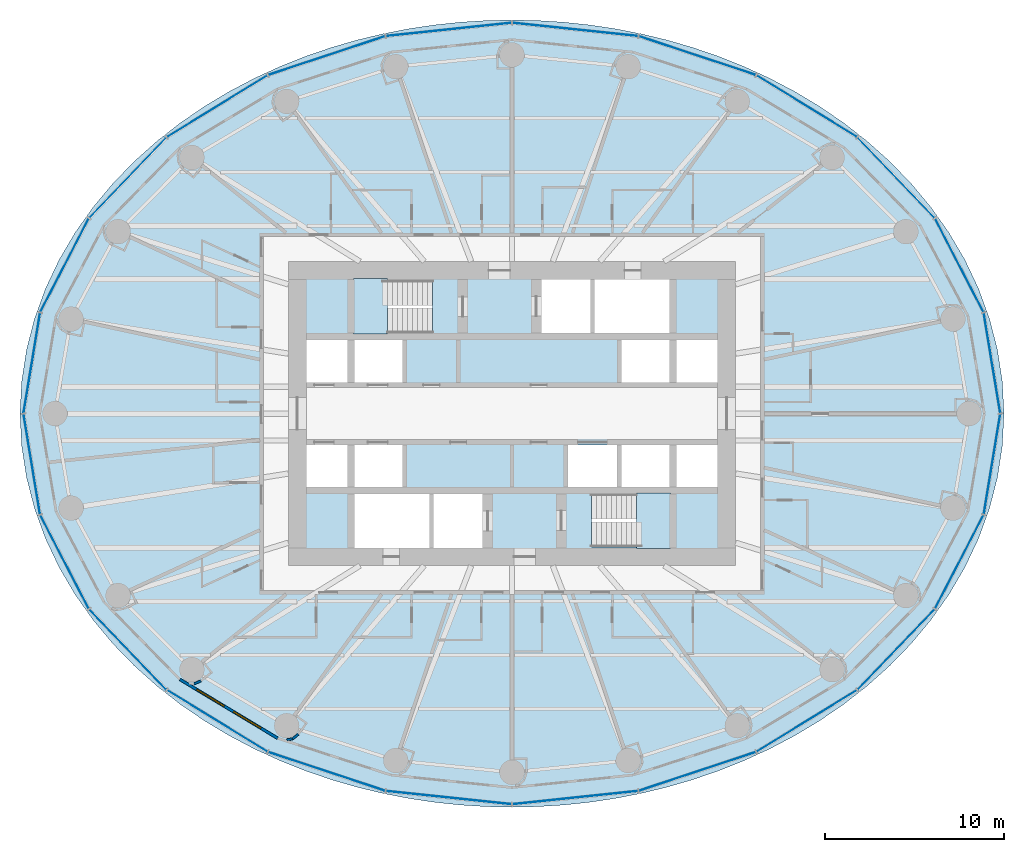
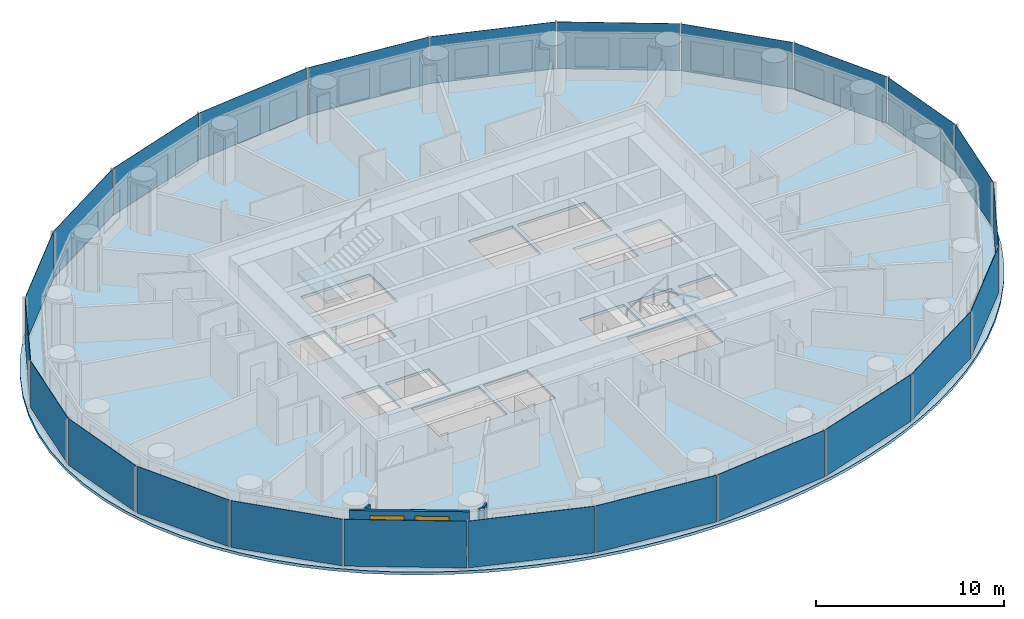
# One storey, part 5 of 14: 24 plates, 4 walls, 3 slabs, 2 windows, 2 openings, 6 elements without a shape of their own.
"""IFC4 building model written with IfcOpenShell, lengths in metres."""

from ifc_helpers import new_model, si_unit, direction, frame, frame_2d, origin, origin_2d, place, context, subcontext, project, spatial, polyline, rectangle, outline, extrude, material, layer, layer_set, type_object, element, fill, aggregate, save


model = new_model("IFC4")

# Units and contexts
model_context = context("Model", 3, precision=1e-05, world=origin(), true_north=direction((0.0, 1.0)))
body_context = subcontext(model_context, "Body", "Model", "MODEL_VIEW")
ifc_project = project(units=[si_unit("LENGTHUNIT", "METRE"), si_unit("AREAUNIT", "SQUARE_METRE"), si_unit("VOLUMEUNIT", "CUBIC_METRE"), si_unit("PLANEANGLEUNIT", "RADIAN"), si_unit("MASSUNIT", "GRAM", prefix="KILO")], contexts=[model_context])

# Site, building, storey
site_placement = place(None, origin())
site = spatial("IfcSite", under=ifc_project, at=site_placement, CompositionType="ELEMENT")
building_placement = place(site_placement, origin())
building = spatial("IfcBuilding", under=site, at=building_placement, Name="Hankou Lantern Tower", CompositionType="ELEMENT")
storey_placement = place(building_placement, frame((0.0, 0.0, 67.199951171875)))
storey = spatial("IfcBuildingStorey", under=building, at=storey_placement, Name="L16", CompositionType="ELEMENT", Elevation=67.199951171875)

# Curtain wall, plates
ifc_material_1 = material(Name="Glass, dark grey tinted laminated", Category="glass")
curtain_wall_type = type_object("IfcCurtainWallType", Name="CWA OUTER SKIN LOW-RISE", PredefinedType="USERDEFINED", material=ifc_material_1)
curtain_wall_1_placement = place(storey_placement, origin())
curtain_wall_1 = element("IfcCurtainWall", 1, at=curtain_wall_1_placement, inside=storey, type_object=curtain_wall_type, Name="CWA L16 OS1", ObjectType="OUTER SKIN LOW-RISE", PredefinedType="USERDEFINED")
ifc_material_2 = material(Name="Glass, dark grey tinted laminated", Category="glass")
ifc_layer_1 = layer(ifc_material_2, 0.02392578125)
ifc_layer_set_1 = layer_set([ifc_layer_1], Name="Glass, dark grey tinted laminated")
plate_type = type_object("IfcPlateType", Name="PN1 OUTER SKIN GLASS PANEL", PredefinedType="CURTAIN_PANEL", material=ifc_layer_set_1)
plate_1_placement = place(storey_placement, frame((26.8349609375, 2.826416015625, 0.080078125), z_axis=(0.0, 0.0, 1.0), x_axis=(-0.162381515188, 0.986728049427, 0.0)))
plate_1 = element("IfcPlate", 2, at=plate_1_placement, type_object=plate_type, Name="CWA glass panel 1", PredefinedType="CURTAIN_PANEL", context=body_context, shape_type="SweptSolid", body=[
    extrude(rectangle(XDim=5.648681640625, YDim=0.02392578125, at=origin_2d()), origin(), (0.0, 0.0, 1.0), 3.0400390625),
])
plate_2_placement = place(storey_placement, frame((25.006103515625, 8.286376953125, 0.080078125), z_axis=(0.0, 0.0, 1.0), x_axis=(-0.459791091957, 0.888027112062, 0.0)))
plate_2 = element("IfcPlate", 3, at=plate_2_placement, type_object=plate_type, Name="CWA glass panel 2", PredefinedType="CURTAIN_PANEL", context=body_context, shape_type="SweptSolid", body=[
    extrude(rectangle(XDim=5.8515625, YDim=0.02392578125, at=origin_2d()), origin(), (0.0, 0.0, 1.0), 3.0400390625),
])
plate_3_placement = place(storey_placement, frame((21.47314453125, 13.181640625, 0.080078125), z_axis=(0.0, 0.0, 1.0), x_axis=(-0.692215809936, 0.721690565599, 0.0)))
plate_3 = element("IfcPlate", 4, at=plate_3_placement, type_object=plate_type, Name="CWA glass panel 3", PredefinedType="CURTAIN_PANEL", context=body_context, shape_type="SweptSolid", body=[
    extrude(rectangle(XDim=6.1875, YDim=0.02392578125, at=origin_2d()), origin(), (0.0, 0.0, 1.0), 3.0400390625),
])
plate_4_placement = place(storey_placement, frame((16.47705078125, 17.1787109375, 0.080078125), z_axis=(0.0, 0.0, 1.0), x_axis=(-0.852237151549, 0.523155653242, 0.0)))
plate_4 = element("IfcPlate", 5, at=plate_4_placement, type_object=plate_type, Name="CWA glass panel 4", PredefinedType="CURTAIN_PANEL", context=body_context, shape_type="SweptSolid", body=[
    extrude(rectangle(XDim=6.554443359375, YDim=0.02392578125, at=origin_2d()), origin(), (0.0, 0.0, 1.0), 3.0400390625),
])
plate_5_placement = place(storey_placement, frame((10.35791015625, 20.0048828125, 0.080078125), z_axis=(0.0, 0.0, 1.0), x_axis=(-0.949240677293, 0.31455068999, 0.0)))
plate_5 = element("IfcPlate", 6, at=plate_5_placement, type_object=plate_type, Name="CWA glass panel 5", PredefinedType="CURTAIN_PANEL", context=body_context, shape_type="SweptSolid", body=[
    extrude(rectangle(XDim=6.856201171875, YDim=0.02392578125, at=origin_2d()), origin(), (0.0, 0.0, 1.0), 3.0400390625),
])
plate_6_placement = place(storey_placement, frame((3.532958984375, 21.468017578125, 0.080078125), z_axis=(0.0, 0.0, 1.0), x_axis=(-0.994499359107, 0.104742659579, 0.0)))
plate_6 = element("IfcPlate", 7, at=plate_6_placement, type_object=plate_type, Name="CWA glass panel 6", PredefinedType="CURTAIN_PANEL", context=body_context, shape_type="SweptSolid", body=[
    extrude(rectangle(XDim=7.02490234375, YDim=0.02392578125, at=origin_2d()), origin(), (0.0, 0.0, 1.0), 3.0400390625),
])
aggregate(curtain_wall_1, [plate_1, plate_2, plate_3, plate_4, plate_5, plate_6])

curtain_wall_2_placement = place(storey_placement, origin())
curtain_wall_2 = element("IfcCurtainWall", 8, at=curtain_wall_2_placement, inside=storey, type_object=curtain_wall_type, Name="CWA L16 OS2", ObjectType="OUTER SKIN LOW-RISE", PredefinedType="USERDEFINED")
plate_7_placement = place(storey_placement, frame((-3.532958984375, 21.468017578125, 0.080078125), z_axis=(0.0, 0.0, 1.0), x_axis=(-0.994499359107, -0.104742659579, 0.0)))
plate_7 = element("IfcPlate", 9, at=plate_7_placement, type_object=plate_type, Name="CWA glass panel 1", PredefinedType="CURTAIN_PANEL", context=body_context, shape_type="SweptSolid", body=[
    extrude(rectangle(XDim=7.02490234375, YDim=0.02392578125, at=origin_2d()), origin(), (0.0, 0.0, 1.0), 3.0400390625),
])
plate_8_placement = place(storey_placement, frame((-10.35791015625, 20.0048828125, 0.080078125), z_axis=(0.0, 0.0, 1.0), x_axis=(-0.949240677293, -0.31455068999, 0.0)))
plate_8 = element("IfcPlate", 10, at=plate_8_placement, type_object=plate_type, Name="CWA glass panel 2", PredefinedType="CURTAIN_PANEL", context=body_context, shape_type="SweptSolid", body=[
    extrude(rectangle(XDim=6.856201171875, YDim=0.02392578125, at=origin_2d()), origin(), (0.0, 0.0, 1.0), 3.0400390625),
])
plate_9_placement = place(storey_placement, frame((-16.47705078125, 17.1787109375, 0.080078125), z_axis=(0.0, 0.0, 1.0), x_axis=(-0.852237151549, -0.523155653242, 0.0)))
plate_9 = element("IfcPlate", 11, at=plate_9_placement, type_object=plate_type, Name="CWA glass panel 3", PredefinedType="CURTAIN_PANEL", context=body_context, shape_type="SweptSolid", body=[
    extrude(rectangle(XDim=6.554443359375, YDim=0.02392578125, at=origin_2d()), origin(), (0.0, 0.0, 1.0), 3.0400390625),
])
plate_10_placement = place(storey_placement, frame((-21.47314453125, 13.181640625, 0.080078125), z_axis=(0.0, 0.0, 1.0), x_axis=(-0.692215809936, -0.721690565599, 0.0)))
plate_10 = element("IfcPlate", 12, at=plate_10_placement, type_object=plate_type, Name="CWA glass panel 4", PredefinedType="CURTAIN_PANEL", context=body_context, shape_type="SweptSolid", body=[
    extrude(rectangle(XDim=6.1875, YDim=0.02392578125, at=origin_2d()), origin(), (0.0, 0.0, 1.0), 3.0400390625),
])
plate_11_placement = place(storey_placement, frame((-25.006103515625, 8.286376953125, 0.080078125), z_axis=(0.0, 0.0, 1.0), x_axis=(-0.459791091957, -0.888027112062, 0.0)))
plate_11 = element("IfcPlate", 13, at=plate_11_placement, type_object=plate_type, Name="CWA glass panel 5", PredefinedType="CURTAIN_PANEL", context=body_context, shape_type="SweptSolid", body=[
    extrude(rectangle(XDim=5.8515625, YDim=0.02392578125, at=origin_2d()), origin(), (0.0, 0.0, 1.0), 3.0400390625),
])
plate_12_placement = place(storey_placement, frame((-26.8349609375, 2.826416015625, 0.080078125), z_axis=(0.0, 0.0, 1.0), x_axis=(-0.162381515188, -0.986728049427, 0.0)))
plate_12 = element("IfcPlate", 14, at=plate_12_placement, type_object=plate_type, Name="CWA glass panel 6", PredefinedType="CURTAIN_PANEL", context=body_context, shape_type="SweptSolid", body=[
    extrude(rectangle(XDim=5.648681640625, YDim=0.02392578125, at=origin_2d()), origin(), (0.0, 0.0, 1.0), 3.0400390625),
])
aggregate(curtain_wall_2, [plate_7, plate_8, plate_9, plate_10, plate_11, plate_12])

curtain_wall_3_placement = place(storey_placement, origin())
curtain_wall_3 = element("IfcCurtainWall", 15, at=curtain_wall_3_placement, inside=storey, type_object=curtain_wall_type, Name="CWA L16 OS3", ObjectType="OUTER SKIN LOW-RISE", PredefinedType="USERDEFINED")
plate_13_placement = place(storey_placement, frame((-26.8349609375, -2.826416015625, 0.080078125), z_axis=(0.0, 0.0, 1.0), x_axis=(0.162381515188, -0.986728049427, 0.0)))
plate_13 = element("IfcPlate", 16, at=plate_13_placement, type_object=plate_type, Name="CWA glass panel 1", PredefinedType="CURTAIN_PANEL", context=body_context, shape_type="SweptSolid", body=[
    extrude(rectangle(XDim=5.648681640625, YDim=0.02392578125, at=origin_2d()), origin(), (0.0, 0.0, 1.0), 3.0400390625),
])
plate_14_placement = place(storey_placement, frame((-25.006103515625, -8.286376953125, 0.080078125), z_axis=(0.0, 0.0, 1.0), x_axis=(0.459791091957, -0.888027112062, 0.0)))
plate_14 = element("IfcPlate", 17, at=plate_14_placement, type_object=plate_type, Name="CWA glass panel 2", PredefinedType="CURTAIN_PANEL", context=body_context, shape_type="SweptSolid", body=[
    extrude(rectangle(XDim=5.8515625, YDim=0.02392578125, at=origin_2d()), origin(), (0.0, 0.0, 1.0), 3.0400390625),
])
plate_15_placement = place(storey_placement, frame((-21.47314453125, -13.181640625, 0.080078125), z_axis=(0.0, 0.0, 1.0), x_axis=(0.692215809936, -0.721690565599, 0.0)))
plate_15 = element("IfcPlate", 18, at=plate_15_placement, type_object=plate_type, Name="CWA glass panel 3", PredefinedType="CURTAIN_PANEL", context=body_context, shape_type="SweptSolid", body=[
    extrude(rectangle(XDim=6.1875, YDim=0.02392578125, at=origin_2d()), origin(), (0.0, 0.0, 1.0), 3.0400390625),
])
plate_16_placement = place(storey_placement, frame((-16.47705078125, -17.1787109375, 0.080078125), z_axis=(0.0, 0.0, 1.0), x_axis=(0.852237151549, -0.523155653242, 0.0)))
plate_16 = element("IfcPlate", 19, at=plate_16_placement, type_object=plate_type, Name="CWA glass panel 4", PredefinedType="CURTAIN_PANEL", context=body_context, shape_type="SweptSolid", body=[
    extrude(rectangle(XDim=6.554443359375, YDim=0.02392578125, at=origin_2d()), origin(), (0.0, 0.0, 1.0), 3.0400390625),
])
plate_17_placement = place(storey_placement, frame((-10.35791015625, -20.0048828125, 0.080078125), z_axis=(0.0, 0.0, 1.0), x_axis=(0.949240677293, -0.31455068999, 0.0)))
plate_17 = element("IfcPlate", 20, at=plate_17_placement, type_object=plate_type, Name="CWA glass panel 5", PredefinedType="CURTAIN_PANEL", context=body_context, shape_type="SweptSolid", body=[
    extrude(rectangle(XDim=6.856201171875, YDim=0.02392578125, at=origin_2d()), origin(), (0.0, 0.0, 1.0), 3.0400390625),
])
plate_18_placement = place(storey_placement, frame((-3.532958984375, -21.468017578125, 0.080078125), z_axis=(0.0, 0.0, 1.0), x_axis=(0.994499359107, -0.104742659579, 0.0)))
plate_18 = element("IfcPlate", 21, at=plate_18_placement, type_object=plate_type, Name="CWA glass panel 6", PredefinedType="CURTAIN_PANEL", context=body_context, shape_type="SweptSolid", body=[
    extrude(rectangle(XDim=7.02490234375, YDim=0.02392578125, at=origin_2d()), origin(), (0.0, 0.0, 1.0), 3.0400390625),
])
aggregate(curtain_wall_3, [plate_13, plate_14, plate_15, plate_16, plate_17, plate_18])

curtain_wall_4_placement = place(storey_placement, origin())
curtain_wall_4 = element("IfcCurtainWall", 22, at=curtain_wall_4_placement, inside=storey, type_object=curtain_wall_type, Name="CWA L16 OS4", ObjectType="OUTER SKIN LOW-RISE", PredefinedType="USERDEFINED")
plate_19_placement = place(storey_placement, frame((3.532958984375, -21.468017578125, 0.080078125), z_axis=(0.0, 0.0, 1.0), x_axis=(0.994499359107, 0.104742659579, 0.0)))
plate_19 = element("IfcPlate", 23, at=plate_19_placement, type_object=plate_type, Name="CWA glass panel 1", PredefinedType="CURTAIN_PANEL", context=body_context, shape_type="SweptSolid", body=[
    extrude(rectangle(XDim=7.02490234375, YDim=0.02392578125, at=origin_2d()), origin(), (0.0, 0.0, 1.0), 3.0400390625),
])
plate_20_placement = place(storey_placement, frame((10.35791015625, -20.0048828125, 0.080078125), z_axis=(0.0, 0.0, 1.0), x_axis=(0.949240677293, 0.31455068999, 0.0)))
plate_20 = element("IfcPlate", 24, at=plate_20_placement, type_object=plate_type, Name="CWA glass panel 2", PredefinedType="CURTAIN_PANEL", context=body_context, shape_type="SweptSolid", body=[
    extrude(rectangle(XDim=6.856201171875, YDim=0.02392578125, at=origin_2d()), origin(), (0.0, 0.0, 1.0), 3.0400390625),
])
plate_21_placement = place(storey_placement, frame((16.47705078125, -17.1787109375, 0.080078125), z_axis=(0.0, 0.0, 1.0), x_axis=(0.852237151549, 0.523155653242, 0.0)))
plate_21 = element("IfcPlate", 25, at=plate_21_placement, type_object=plate_type, Name="CWA glass panel 3", PredefinedType="CURTAIN_PANEL", context=body_context, shape_type="SweptSolid", body=[
    extrude(rectangle(XDim=6.554443359375, YDim=0.02392578125, at=origin_2d()), origin(), (0.0, 0.0, 1.0), 3.0400390625),
])
plate_22_placement = place(storey_placement, frame((21.47314453125, -13.181640625, 0.080078125), z_axis=(0.0, 0.0, 1.0), x_axis=(0.692215809936, 0.721690565599, 0.0)))
plate_22 = element("IfcPlate", 26, at=plate_22_placement, type_object=plate_type, Name="CWA glass panel 4", PredefinedType="CURTAIN_PANEL", context=body_context, shape_type="SweptSolid", body=[
    extrude(rectangle(XDim=6.1875, YDim=0.02392578125, at=origin_2d()), origin(), (0.0, 0.0, 1.0), 3.0400390625),
])
plate_23_placement = place(storey_placement, frame((25.006103515625, -8.286376953125, 0.080078125), z_axis=(0.0, 0.0, 1.0), x_axis=(0.459791091957, 0.888027112062, 0.0)))
plate_23 = element("IfcPlate", 27, at=plate_23_placement, type_object=plate_type, Name="CWA glass panel 5", PredefinedType="CURTAIN_PANEL", context=body_context, shape_type="SweptSolid", body=[
    extrude(rectangle(XDim=5.8515625, YDim=0.02392578125, at=origin_2d()), origin(), (0.0, 0.0, 1.0), 3.0400390625),
])
plate_24_placement = place(storey_placement, frame((26.8349609375, -2.826416015625, 0.080078125), z_axis=(0.0, 0.0, 1.0), x_axis=(0.162381515188, 0.986728049427, 0.0)))
plate_24 = element("IfcPlate", 28, at=plate_24_placement, type_object=plate_type, Name="CWA glass panel 6", PredefinedType="CURTAIN_PANEL", context=body_context, shape_type="SweptSolid", body=[
    extrude(rectangle(XDim=5.648681640625, YDim=0.02392578125, at=origin_2d()), origin(), (0.0, 0.0, 1.0), 3.0400390625),
])
aggregate(curtain_wall_4, [plate_19, plate_20, plate_21, plate_22, plate_23, plate_24])

# Slab
ifc_material_3 = material(Name="Concrete C50", Category="concrete")
ifc_layer_2 = layer(ifc_material_3, 0.179931640625)
ifc_layer_set_2 = layer_set([ifc_layer_2], Name="Concrete C50")
slab_type_1 = type_object("IfcSlabType", Name="S1 CONCRETE FLOOR SLAB 180", PredefinedType="FLOOR", material=ifc_layer_set_2)
slab_1_placement = place(storey_placement, frame((0.0, 0.0, -0.179931640625)))
element("IfcSlab", 29, at=slab_1_placement, inside=storey, type_object=slab_type_1, Name="Floor slab L16", PredefinedType="FLOOR", context=body_context, shape_type="SweptSolid", body=[
    extrude(outline(polyline([(27.5, 0.0), (27.408203125, 1.79638671875), (27.135009765625, 3.572509765625), (26.6875, 5.308349609375), (26.076171875, 6.987060546875), (25.3154296875, 8.593505859375), (24.420654296875, 10.115478515625), (23.40966796875, 11.54443359375), (22.29931640625, 12.87451171875), (21.1064453125, 14.102783203125), (19.846435546875, 15.228759765625), (18.533447265625, 16.25341796875), (17.17919921875, 17.17919921875), (15.794189453125, 18.009765625), (14.38671875, 18.749267578125), (12.964111328125, 19.402099609375), (11.53125, 19.972412109375), (10.09228515625, 20.46484375), (8.650146484375, 20.88330078125), (7.20703125, 21.23095703125), (5.763916015625, 21.51123046875), (4.32177734375, 21.7265625), (2.88037109375, 21.87890625), (1.43994140625, 21.9697265625), (0.0, 22.0), (-1.43994140625, 21.9697265625), (-2.88037109375, 21.87890625), (-4.32177734375, 21.7265625), (-5.763916015625, 21.51123046875), (-7.20703125, 21.23095703125), (-8.650146484375, 20.88330078125), (-10.09228515625, 20.46484375), (-11.53125, 19.972412109375), (-12.964111328125, 19.402099609375), (-14.38671875, 18.749267578125), (-15.794189453125, 18.009765625), (-17.17919921875, 17.17919921875), (-18.533447265625, 16.25341796875), (-19.846435546875, 15.228759765625), (-21.1064453125, 14.102783203125), (-22.29931640625, 12.87451171875), (-23.40966796875, 11.54443359375), (-24.420654296875, 10.115478515625), (-25.3154296875, 8.593505859375), (-26.076171875, 6.987060546875), (-26.6875, 5.308349609375), (-27.135009765625, 3.572509765625), (-27.408203125, 1.79638671875), (-27.5, 0.0), (-27.408203125, -1.79638671875), (-27.135009765625, -3.572509765625), (-26.6875, -5.308349609375), (-26.076171875, -6.987060546875), (-25.3154296875, -8.593505859375), (-24.420654296875, -10.115478515625), (-23.40966796875, -11.54443359375), (-22.29931640625, -12.87451171875), (-21.1064453125, -14.102783203125), (-19.846435546875, -15.228759765625), (-18.533447265625, -16.25341796875), (-17.17919921875, -17.17919921875), (-15.794189453125, -18.009765625), (-14.38671875, -18.749267578125), (-12.964111328125, -19.402099609375), (-11.53125, -19.972412109375), (-10.09228515625, -20.46484375), (-8.650146484375, -20.88330078125), (-7.20703125, -21.23095703125), (-5.763916015625, -21.51123046875), (-4.32177734375, -21.7265625), (-2.88037109375, -21.87890625), (-1.43994140625, -21.9697265625), (0.0, -22.0), (1.43994140625, -21.9697265625), (2.88037109375, -21.87890625), (4.32177734375, -21.7265625), (5.763916015625, -21.51123046875), (7.20703125, -21.23095703125), (8.650146484375, -20.88330078125), (10.09228515625, -20.46484375), (11.53125, -19.972412109375), (12.964111328125, -19.402099609375), (14.38671875, -18.749267578125), (15.794189453125, -18.009765625), (17.17919921875, -17.17919921875), (18.533447265625, -16.25341796875), (19.846435546875, -15.228759765625), (21.1064453125, -14.102783203125), (22.29931640625, -12.87451171875), (23.40966796875, -11.54443359375), (24.420654296875, -10.115478515625), (25.3154296875, -8.593505859375), (26.076171875, -6.987060546875), (26.6875, -5.308349609375), (27.135009765625, -3.572509765625), (27.408203125, -1.79638671875), (27.5, 0.0)]), holes=[polyline([(-11.5, 4.10009765625), (-9.199951171875, 4.10009765625), (-9.199951171875, 1.75), (-11.5, 1.75), (-11.5, 4.10009765625)]), polyline([(-8.800048828125, 4.10009765625), (-6.125, 4.10009765625), (-6.125, 1.75), (-8.800048828125, 1.75), (-8.800048828125, 4.10009765625)]), polyline([(6.125, 4.10009765625), (8.800048828125, 4.10009765625), (8.800048828125, 1.75), (6.125, 1.75), (6.125, 4.10009765625)]), polyline([(9.199951171875, 4.10009765625), (11.5, 4.10009765625), (11.5, 1.75), (9.199951171875, 1.75), (9.199951171875, 4.10009765625)]), polyline([(-11.5, -1.75), (-9.199951171875, -1.75), (-9.199951171875, -4.10009765625), (-11.5, -4.10009765625), (-11.5, -1.75)]), polyline([(-8.800048828125, -1.75), (-6.125, -1.75), (-6.125, -4.10009765625), (-8.800048828125, -4.10009765625), (-8.800048828125, -1.75)]), polyline([(3.125, -1.75), (5.875, -1.75), (5.875, -4.10009765625), (3.125, -4.10009765625), (3.125, -1.75)]), polyline([(6.125, -1.75), (8.800048828125, -1.75), (8.800048828125, -4.10009765625), (6.125, -4.10009765625), (6.125, -1.75)]), polyline([(9.199951171875, -1.75), (11.5, -1.75), (11.5, -4.10009765625), (9.199951171875, -4.10009765625), (9.199951171875, -1.75)]), polyline([(1.64990234375, 7.5), (4.375, 7.5), (4.375, 4.5), (1.64990234375, 4.5), (1.64990234375, 7.5)]), polyline([(-4.375, -4.5), (-1.64990234375, -4.5), (-1.64990234375, -7.5), (-4.375, -7.5), (-4.375, -4.5)]), polyline([(-8.699951171875, 7.449951171875), (-4.449951171875, 7.449951171875), (-4.449951171875, 4.5), (-8.699951171875, 4.5), (-8.699951171875, 7.449951171875)]), polyline([(4.449951171875, -4.5), (8.699951171875, -4.5), (8.699951171875, -7.449951171875), (4.449951171875, -7.449951171875), (4.449951171875, -4.5)]), polyline([(4.625, 7.5), (8.800048828125, 7.5), (8.800048828125, 4.5), (4.625, 4.5), (4.625, 7.5)]), polyline([(-8.800048828125, -4.5), (-4.625, -4.5), (-4.625, -7.5), (-8.800048828125, -7.5), (-8.800048828125, -4.5)])]), origin(), (0.0, 0.0, 1.0), 0.179931640625),
])

# Stair, slab
ifc_material_4 = material(Name="Concrete C40", Category="concrete")
stair_type = type_object("IfcStairType", Name="ST33 CORE STAIR 3300 RISE", PredefinedType="HALF_TURN_STAIR", material=ifc_material_4)
stair_1_placement = place(storey_placement, origin())
stair_1 = element("IfcStair", 30, at=stair_1_placement, inside=storey, type_object=stair_type, Name="Stair STA L16", PredefinedType="HALF_TURN_STAIR")
ifc_material_5 = material(Name="Concrete C40", Category="concrete")
ifc_layer_3 = layer(ifc_material_5, 0.199951171875)
ifc_layer_set_3 = layer_set([ifc_layer_3], Name="Concrete C40")
slab_type_2 = type_object("IfcSlabType", Name="SL1 STAIR LANDING 200", PredefinedType="LANDING", material=ifc_layer_set_3)
slab_2_placement = place(storey_placement, frame((0.0, 0.0, 1.37158203125)))
slab_2 = element("IfcSlab", 31, at=slab_2_placement, type_object=slab_type_2, Name="STA landing 1", PredefinedType="LANDING", context=body_context, shape_type="SweptSolid", body=[
    extrude(outline(polyline([(-8.85009765625, 4.449951171875), (-6.949951171875, 4.449951171875), (-6.949951171875, 7.550048828125), (-8.85009765625, 7.550048828125), (-8.85009765625, 4.449951171875)])), origin(), (0.0, 0.0, 1.0), 0.199951171875),
])
aggregate(stair_1, [slab_2])

stair_2_placement = place(storey_placement, origin())
stair_2 = element("IfcStair", 32, at=stair_2_placement, inside=storey, type_object=stair_type, Name="Stair STB L16", PredefinedType="HALF_TURN_STAIR")
slab_3_placement = place(storey_placement, frame((0.0, 0.0, 1.37158203125)))
slab_3 = element("IfcSlab", 33, at=slab_3_placement, type_object=slab_type_2, Name="STB landing 1", PredefinedType="LANDING", context=body_context, shape_type="SweptSolid", body=[
    extrude(outline(polyline([(8.85009765625, -4.449951171875), (6.949951171875, -4.449951171875), (6.949951171875, -7.550048828125), (8.85009765625, -7.550048828125), (8.85009765625, -4.449951171875)])), origin(), (0.0, 0.0, 1.0), 0.199951171875),
])
aggregate(stair_2, [slab_3])

# Wall, openings, windows
ifc_material_6 = material(Name="Aluminium spandrel panel on steel studs", Category="steel")
ifc_layer_4 = layer(ifc_material_6, 0.14990234375)
ifc_layer_set_4 = layer_set([ifc_layer_4], Name="Aluminium spandrel panel on steel studs")
wall_type_1 = type_object("IfcWallType", Name="EW1 INNER SKIN WALL 150", PredefinedType="ELEMENTEDWALL", material=ifc_layer_set_4)
wall_1_placement = place(storey_placement, frame((-18.569580078125, -14.855712890625, 0.0), z_axis=(0.0, 0.0, 1.0), x_axis=(0.856983180864, -0.515344377787, 0.0)))
wall_1 = element("IfcWall", 34, at=wall_1_placement, inside=storey, type_object=wall_type_1, Name="Inner skin R16-R17 L16", PredefinedType="ELEMENTEDWALL", context=body_context, shape_type="SweptSolid", body=[
    extrude(rectangle(XDim=6.386474609375, YDim=0.14990234375, at=frame_2d((3.193359375, 0.0))), origin(), (0.0, 0.0, 1.0), 3.1201171875),
])
opening_1_placement = place(wall_1_placement, frame((1.09326171875, 0.0, 0.89990234375)))
opening_1 = element("IfcOpeningElement", 35, at=opening_1_placement, cuts=wall_1, Name="Opening W1", PredefinedType="OPENING", context=body_context, shape_type="SweptSolid", body=[
    extrude(rectangle(XDim=1.800048828125, YDim=1.89990234375, at=frame_2d((0.89990234375, 0.949951171875))), frame((0.0, 0.0849609375, 0.0), z_axis=(0.0, -1.0, 0.0), x_axis=(1.0, 0.0, 0.0)), (0.0, 0.0, 1.0), 0.169921875),
])
opening_2_placement = place(wall_1_placement, frame((3.4931640625, 0.0, 0.89990234375)))
opening_2 = element("IfcOpeningElement", 36, at=opening_2_placement, cuts=wall_1, Name="Opening W1", PredefinedType="OPENING", context=body_context, shape_type="SweptSolid", body=[
    extrude(rectangle(XDim=1.800048828125, YDim=1.89990234375, at=frame_2d((0.89990234375, 0.949951171875))), frame((0.0, 0.0849609375, 0.0), z_axis=(0.0, -1.0, 0.0), x_axis=(1.0, 0.0, 0.0)), (0.0, 0.0, 1.0), 0.169921875),
])
ifc_material_7 = material(Name="Aluminium framed double glazed window", Category="aluminium")
window_type = type_object("IfcWindowType", Name="W1 GUEST ROOM WINDOW 1800X1900", PartitioningType="DOUBLE_PANEL_VERTICAL", PredefinedType="WINDOW", material=ifc_material_7)
window_1_placement = place(opening_1_placement, origin())
window_1 = element("IfcWindow", 37, at=window_1_placement, inside=storey, type_object=window_type, Name="Window R16.1 L16", OverallHeight=1.89990234375, OverallWidth=1.800048828125, PartitioningType="SINGLE_PANEL", PredefinedType="WINDOW", context=body_context, shape_type="SweptSolid", body=[
    extrude(rectangle(XDim=1.800048828125, YDim=1.89990234375, at=frame_2d((0.89990234375, 0.949951171875))), frame((0.0, 0.030029296875, 0.0), z_axis=(0.0, -1.0, 0.0), x_axis=(1.0, 0.0, 0.0)), (0.0, 0.0, 1.0), 0.06005859375),
])
fill(opening_1, window_1)
window_2_placement = place(opening_2_placement, origin())
window_2 = element("IfcWindow", 38, at=window_2_placement, inside=storey, type_object=window_type, Name="Window R16.2 L16", OverallHeight=1.89990234375, OverallWidth=1.800048828125, PartitioningType="SINGLE_PANEL", PredefinedType="WINDOW", context=body_context, shape_type="SweptSolid", body=[
    extrude(rectangle(XDim=1.800048828125, YDim=1.89990234375, at=frame_2d((0.89990234375, 0.949951171875))), frame((0.0, 0.030029296875, 0.0), z_axis=(0.0, -1.0, 0.0), x_axis=(1.0, 0.0, 0.0)), (0.0, 0.0, 1.0), 0.06005859375),
])
fill(opening_2, window_2)

# Walls
ifc_material_8 = material(Name="Masonry lightweight concrete block", Category="masonry")
ifc_layer_5 = layer(ifc_material_8, 0.1201171875)
ifc_layer_set_5 = layer_set([ifc_layer_5], Name="Masonry lightweight concrete block")
wall_type_2 = type_object("IfcWallType", Name="IW4 PARTITION 120", PredefinedType="PARTITIONING", material=ifc_layer_set_5)
wall_2_placement = place(storey_placement, frame((-17.38720703125, -14.94384765625, 0.0), z_axis=(0.0, 0.0, 1.0), x_axis=(-0.916036698064, -0.401094462441, 0.0)))
element("IfcWall", 39, at=wall_2_placement, inside=storey, type_object=wall_type_2, Name="Column casing R16", PredefinedType="PARTITIONING", context=body_context, shape_type="SweptSolid", body=[
    extrude(rectangle(XDim=0.418212890625, YDim=0.1201171875, at=frame_2d((0.208984375, 0.0))), origin(), (0.0, 0.0, 1.0), 3.1201171875),
])
wall_3_placement = place(storey_placement, frame((-11.93603515625, -17.9189453125, 0.0), z_axis=(0.0, 0.0, 1.0), x_axis=(-0.775023088441, -0.631932917629, 0.0)))
element("IfcWall", 40, at=wall_3_placement, inside=storey, type_object=wall_type_2, Name="Column casing R17", PredefinedType="PARTITIONING", context=body_context, shape_type="SweptSolid", body=[
    extrude(rectangle(XDim=0.41796875, YDim=0.1201171875, at=frame_2d((0.208984375, 0.0))), origin(), (0.0, 0.0, 1.0), 3.1201171875),
])
wall_4_placement = place(storey_placement, frame((-12.260009765625, -18.18310546875, 0.0), z_axis=(0.0, 0.0, 1.0), x_axis=(-0.987218661664, -0.159371622511, 0.0)))
element("IfcWall", 41, at=wall_4_placement, inside=storey, type_object=wall_type_2, Name="Column casing R17", PredefinedType="PARTITIONING", context=body_context, shape_type="SweptSolid", body=[
    extrude(rectangle(XDim=0.330810546875, YDim=0.1201171875, at=frame_2d((0.16552734375, 0.0))), origin(), (0.0, 0.0, 1.0), 3.1201171875),
])

save(model, "model.ifc")
